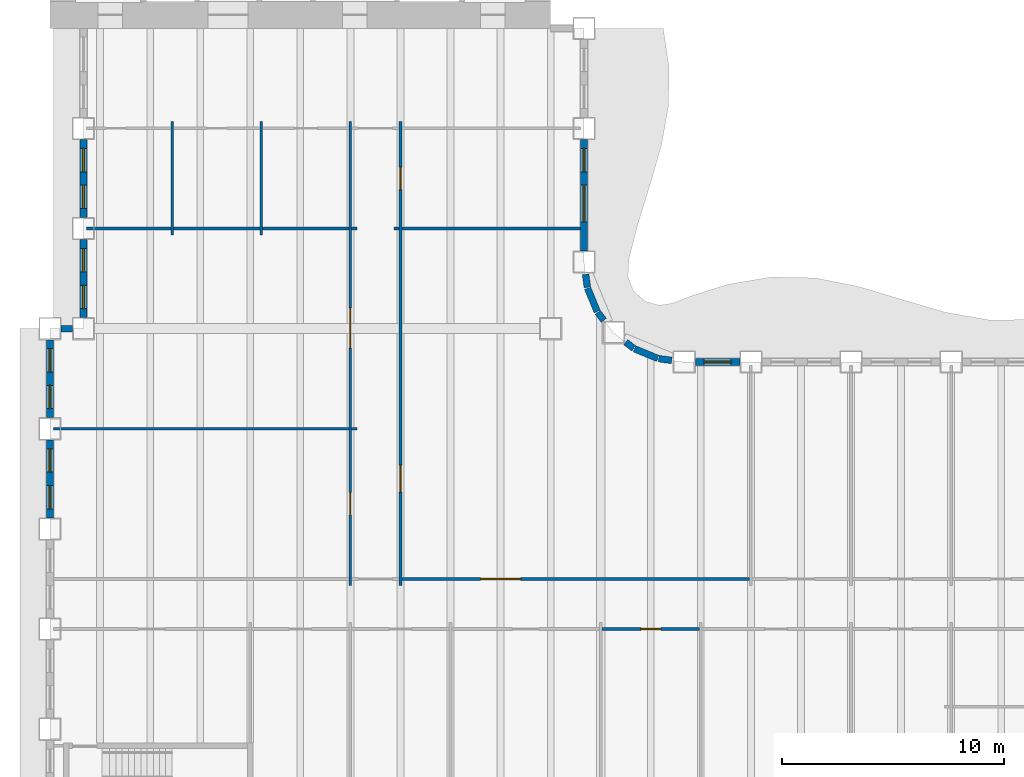
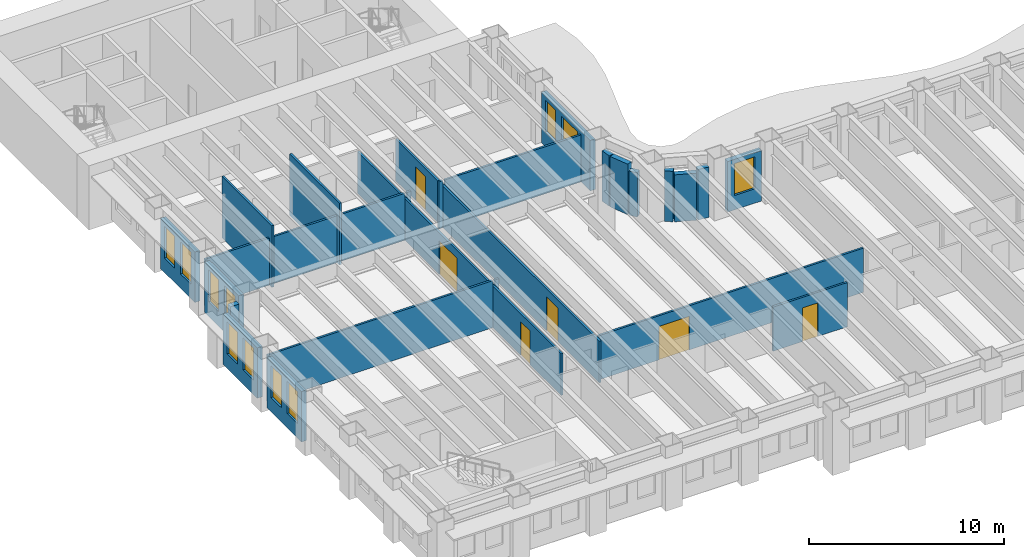
# One storey, part 4 of 16: 27 walls, 11 windows, 6 doors, 17 openings.
"""IFC4 building model written with IfcOpenShell, lengths in metres."""

from ifc_helpers import new_model, si_unit, direction, frame, frame_2d, origin, place, context, subcontext, project, spatial, rectangle, extrude, material, layer, layer_set, type_object, element, fill, save


model = new_model("IFC4")

# Units and contexts
model_context = context("Model", 3, precision=1e-05, world=origin(), true_north=direction((0.0, 1.0)))
body_context = subcontext(model_context, "Body", "Model", "MODEL_VIEW")
ifc_project = project(units=[si_unit("LENGTHUNIT", "METRE"), si_unit("AREAUNIT", "SQUARE_METRE"), si_unit("VOLUMEUNIT", "CUBIC_METRE"), si_unit("PLANEANGLEUNIT", "RADIAN"), si_unit("MASSUNIT", "GRAM", prefix="KILO")], contexts=[model_context])

# Site, building, storey
site_placement = place(None, origin())
site = spatial("IfcSite", under=ifc_project, at=site_placement, CompositionType="ELEMENT")
building_placement = place(site_placement, origin())
building = spatial("IfcBuilding", under=site, at=building_placement, Name="Sennacour Bend Tower", CompositionType="ELEMENT")
storey_placement = place(building_placement, frame((0.0, 0.0, 115.0)))
storey = spatial("IfcBuildingStorey", under=building, at=storey_placement, Name="L26", CompositionType="ELEMENT", Elevation=115.0)

# Walls
ifc_material_1 = material(Name="Plasterboard partition on steel studs", Category="steel")
ifc_layer_1 = layer(ifc_material_1, 0.1201171875, Name="Plasterboard partition on steel studs", Category="steel")
ifc_layer_set_1 = layer_set([ifc_layer_1], Name="Plasterboard partition on steel studs")
wall_type_1 = type_object("IfcWallType", Name="Partition 120", PredefinedType="PARTITIONING", material=ifc_layer_set_1)
for number, where, z_axis, x_axis, name in (
    (1, (5.5, 26.699951171875, 0.0), (0.0, 0.0, 1.0), (0.0, 1.0, 0.0), "P-L26-W006a"),
    (2, (9.5, 26.699951171875, 0.0), (0.0, 0.0, 1.0), (0.0, 1.0, 0.0), "P-L26-W012a"),
):
    element("IfcWall", number, at=place(storey_placement, frame(where, z_axis=z_axis, x_axis=x_axis)), inside=storey, type_object=wall_type_1, Name=name, PredefinedType="PARTITIONING", context=body_context, shape_type="SweptSolid", body=[
        extrude(rectangle(XDim=5.10009765625, YDim=0.1201171875, at=frame_2d((2.550048828125, 0.0))), origin(), (0.0, 0.0, 1.0), 3.85009765625),
    ])

# Wall, openings, doors
wall_1_placement = place(storey_placement, frame((13.5, 10.949951171875, 0.0), z_axis=(0.0, 0.0, 1.0), x_axis=(0.0, 1.0, 0.0)))
wall_1 = element("IfcWall", 3, at=wall_1_placement, inside=storey, type_object=wall_type_1, Name="P-L26-W015a", PredefinedType="PARTITIONING", context=body_context, shape_type="SweptSolid", body=[
    extrude(rectangle(XDim=20.85009765625, YDim=0.1201171875, at=frame_2d((10.425048828125, 0.0))), origin(), (0.0, 0.0, 1.0), 2.60009765625),
])
opening_1_placement = place(wall_1_placement, frame((3.175048828125, 0.0, 0.0)))
opening_1 = element("IfcOpeningElement", 4, at=opening_1_placement, cuts=wall_1, Name="Opening OD2", PredefinedType="OPENING", context=body_context, shape_type="SweptSolid", body=[
    extrude(rectangle(XDim=1.0, YDim=2.10009765625, at=frame_2d((0.5, 1.050048828125))), frame((0.0, 0.070068359375, 0.0), z_axis=(0.0, -1.0, 0.0), x_axis=(1.0, 0.0, 0.0)), (0.0, 0.0, 1.0), 0.14013671875),
])
opening_2_placement = place(wall_1_placement, frame((10.679931640625, 0.0, 0.0)))
opening_2 = element("IfcOpeningElement", 5, at=opening_2_placement, cuts=wall_1, Name="Opening OD3", PredefinedType="OPENING", context=body_context, shape_type="SweptSolid", body=[
    extrude(rectangle(XDim=1.800048828125, YDim=2.10009765625, at=frame_2d((0.89990234375, 1.050048828125))), frame((0.0, 0.070068359375, 0.0), z_axis=(0.0, -1.0, 0.0), x_axis=(1.0, 0.0, 0.0)), (0.0, 0.0, 1.0), 0.14013671875),
])
ifc_material_2 = material(Name="Timber", Category="wood")
door_type_1 = type_object("IfcDoorType", Name="DR-OFFICE-1000", OperationType="NOTDEFINED", PredefinedType="DOOR", material=ifc_material_2)
door_1_placement = place(opening_1_placement, origin())
door_1 = element("IfcDoor", 6, at=door_1_placement, inside=storey, type_object=door_type_1, Name="Door", OperationType="SINGLE_SWING_LEFT", OverallHeight=2.10009765625, OverallWidth=1.0, PredefinedType="DOOR", context=body_context, shape_type="SweptSolid", body=[
    extrude(rectangle(XDim=1.0, YDim=2.10009765625, at=frame_2d((0.5, 1.050048828125))), frame((0.0, 0.02490234375, 0.0), z_axis=(0.0, -1.0, 0.0), x_axis=(1.0, 0.0, 0.0)), (0.0, 0.0, 1.0), 0.050048828125),
])
fill(opening_1, door_1)
door_type_2 = type_object("IfcDoorType", Name="DR-OFFICE-1800", OperationType="NOTDEFINED", PredefinedType="DOOR", material=ifc_material_2)
door_2_placement = place(opening_2_placement, origin())
door_2 = element("IfcDoor", 7, at=door_2_placement, inside=storey, type_object=door_type_2, Name="Door", OperationType="DOUBLE_DOOR_SINGLE_SWING", OverallHeight=2.10009765625, OverallWidth=1.800048828125, PredefinedType="DOOR", context=body_context, shape_type="SweptSolid", body=[
    extrude(rectangle(XDim=1.800048828125, YDim=2.10009765625, at=frame_2d((0.89990234375, 1.050048828125))), frame((0.0, 0.02490234375, 0.0), z_axis=(0.0, -1.0, 0.0), x_axis=(1.0, 0.0, 0.0)), (0.0, 0.0, 1.0), 0.050048828125),
])
fill(opening_2, door_2)

wall_2_placement = place(storey_placement, frame((15.75, 10.949951171875, 0.0), z_axis=(0.0, 0.0, 1.0), x_axis=(0.0, 1.0, 0.0)))
wall_2 = element("IfcWall", 8, at=wall_2_placement, inside=storey, type_object=wall_type_1, Name="P-L26-W019a", PredefinedType="PARTITIONING", context=body_context, shape_type="SweptSolid", body=[
    extrude(rectangle(XDim=20.85009765625, YDim=0.1201171875, at=frame_2d((10.425048828125, 0.0))), origin(), (0.0, 0.0, 1.0), 2.60009765625),
])
opening_3_placement = place(wall_2_placement, frame((17.800048828125, 0.0, 0.0)))
opening_3 = element("IfcOpeningElement", 9, at=opening_3_placement, cuts=wall_2, Name="Opening MD2", PredefinedType="OPENING", context=body_context, shape_type="SweptSolid", body=[
    extrude(rectangle(XDim=1.0, YDim=2.10009765625, at=frame_2d((0.5, 1.050048828125))), frame((0.0, 0.070068359375, 0.0), z_axis=(0.0, -1.0, 0.0), x_axis=(1.0, 0.0, 0.0)), (0.0, 0.0, 1.0), 0.14013671875),
])
opening_4_placement = place(wall_2_placement, frame((4.199951171875, 0.0, 0.0)))
opening_4 = element("IfcOpeningElement", 10, at=opening_4_placement, cuts=wall_2, Name="Opening OD", PredefinedType="OPENING", context=body_context, shape_type="SweptSolid", body=[
    extrude(rectangle(XDim=1.199951171875, YDim=2.10009765625, at=frame_2d((0.60009765625, 1.050048828125))), frame((0.0, 0.070068359375, 0.0), z_axis=(0.0, -1.0, 0.0), x_axis=(1.0, 0.0, 0.0)), (0.0, 0.0, 1.0), 0.14013671875),
])
door_type_3 = type_object("IfcDoorType", Name="DR-MEETING-1000", OperationType="NOTDEFINED", PredefinedType="DOOR", material=ifc_material_2)
door_3_placement = place(opening_3_placement, origin())
door_3 = element("IfcDoor", 11, at=door_3_placement, inside=storey, type_object=door_type_3, Name="Door", OperationType="SINGLE_SWING_RIGHT", OverallHeight=2.10009765625, OverallWidth=1.0, PredefinedType="DOOR", context=body_context, shape_type="SweptSolid", body=[
    extrude(rectangle(XDim=1.0, YDim=2.10009765625, at=frame_2d((0.5, 1.050048828125))), frame((0.0, 0.02490234375, 0.0), z_axis=(0.0, -1.0, 0.0), x_axis=(1.0, 0.0, 0.0)), (0.0, 0.0, 1.0), 0.050048828125),
])
fill(opening_3, door_3)
door_type_4 = type_object("IfcDoorType", Name="DR-OFFICE-1200", OperationType="NOTDEFINED", PredefinedType="DOOR", material=ifc_material_2)
door_4_placement = place(opening_4_placement, origin())
door_4 = element("IfcDoor", 12, at=door_4_placement, inside=storey, type_object=door_type_4, Name="Door", OperationType="SINGLE_SWING_LEFT", OverallHeight=2.10009765625, OverallWidth=1.199951171875, PredefinedType="DOOR", context=body_context, shape_type="SweptSolid", body=[
    extrude(rectangle(XDim=1.199951171875, YDim=2.10009765625, at=frame_2d((0.60009765625, 1.050048828125))), frame((0.0, 0.02490234375, 0.0), z_axis=(0.0, -1.0, 0.0), x_axis=(1.0, 0.0, 0.0)), (0.0, 0.0, 1.0), 0.050048828125),
])
fill(opening_4, door_4)

# Wall, opening, door
wall_3_placement = place(storey_placement, frame((15.81005859375, 11.25, 0.0), z_axis=(0.0, 0.0, 1.0), x_axis=(1.0, 0.0, 0.0)))
wall_3 = element("IfcWall", 13, at=wall_3_placement, inside=storey, type_object=wall_type_1, Name="P-L26-W057ac", PredefinedType="PARTITIONING", context=body_context, shape_type="SweptSolid", body=[
    extrude(rectangle(XDim=15.6298828125, YDim=0.1201171875, at=frame_2d((7.81494140625, 0.0))), origin(), (0.0, 0.0, 1.0), 2.760009765625),
])
opening_5_placement = place(wall_3_placement, frame((3.539794921875, 0.0, 0.0)))
opening_5 = element("IfcOpeningElement", 14, at=opening_5_placement, cuts=wall_3, Name="Opening OD3", PredefinedType="OPENING", context=body_context, shape_type="SweptSolid", body=[
    extrude(rectangle(XDim=1.800048828125, YDim=2.10009765625, at=frame_2d((0.89990234375, 1.050048828125))), frame((0.0, 0.070068359375, 0.0), z_axis=(0.0, -1.0, 0.0), x_axis=(1.0, 0.0, 0.0)), (0.0, 0.0, 1.0), 0.14013671875),
])
door_5_placement = place(opening_5_placement, origin())
door_5 = element("IfcDoor", 15, at=door_5_placement, inside=storey, type_object=door_type_2, Name="Door", OperationType="DOUBLE_DOOR_SINGLE_SWING", OverallHeight=2.10009765625, OverallWidth=1.800048828125, PredefinedType="DOOR", context=body_context, shape_type="SweptSolid", body=[
    extrude(rectangle(XDim=1.800048828125, YDim=2.10009765625, at=frame_2d((0.89990234375, 1.050048828125))), frame((0.0, 0.02490234375, 0.0), z_axis=(0.0, -1.0, 0.0), x_axis=(1.0, 0.0, 0.0)), (0.0, 0.0, 1.0), 0.050048828125),
])
fill(opening_5, door_5)

# Walls
wall_4_placement = place(storey_placement, frame((0.14990234375, 18.0, 0.0), z_axis=(0.0, 0.0, 1.0), x_axis=(1.0, 0.0, 0.0)))
element("IfcWall", 16, at=wall_4_placement, inside=storey, type_object=wall_type_1, Name="P-L26-W062aa", PredefinedType="PARTITIONING", context=body_context, shape_type="SweptSolid", body=[
    extrude(rectangle(XDim=13.2900390625, YDim=0.1201171875, at=frame_2d((6.64501953125, 0.0))), origin(), (0.0, 0.0, 1.0), 2.93798828125),
])
wall_5_placement = place(storey_placement, frame((13.56005859375, 18.0, 0.0), z_axis=(0.0, 0.0, 1.0), x_axis=(1.0, 0.0, 0.0)))
element("IfcWall", 17, at=wall_5_placement, inside=storey, type_object=wall_type_1, Name="P-L26-W062ab", PredefinedType="PARTITIONING", context=body_context, shape_type="SweptSolid", body=[
    extrude(rectangle(XDim=0.239990234375, YDim=0.1201171875, at=frame_2d((0.1201171875, 0.0))), origin(), (0.0, 0.0, 1.0), 2.93798828125),
])
wall_6_placement = place(storey_placement, frame((1.64990234375, 27.0, 0.0), z_axis=(0.0, 0.0, 1.0), x_axis=(1.0, 0.0, 0.0)))
element("IfcWall", 18, at=wall_6_placement, inside=storey, type_object=wall_type_1, Name="P-L26-W069aa", PredefinedType="PARTITIONING", context=body_context, shape_type="SweptSolid", body=[
    extrude(rectangle(XDim=3.7900390625, YDim=0.1201171875, at=frame_2d((1.89501953125, 0.0))), origin(), (0.0, 0.0, 1.0), 2.93798828125),
])
for number, where, z_axis, x_axis, name in (
    (19, (5.56005859375, 27.0, 0.0), (0.0, 0.0, 1.0), (1.0, 0.0, 0.0), "P-L26-W069ab"),
    (20, (9.56005859375, 27.0, 0.0), (0.0, 0.0, 1.0), (1.0, 0.0, 0.0), "P-L26-W069ac"),
):
    element("IfcWall", number, at=place(storey_placement, frame(where, z_axis=z_axis, x_axis=x_axis)), inside=storey, type_object=wall_type_1, Name=name, PredefinedType="PARTITIONING", context=body_context, shape_type="SweptSolid", body=[
        extrude(rectangle(XDim=3.8798828125, YDim=0.1201171875, at=frame_2d((1.93994140625, 0.0))), origin(), (0.0, 0.0, 1.0), 2.93798828125),
    ])
for number, where, z_axis, x_axis, name in (
    (21, (13.56005859375, 27.0, 0.0), (0.0, 0.0, 1.0), (1.0, 0.0, 0.0), "P-L26-W069ad"),
    (22, (15.449951171875, 27.0, 0.0), (0.0, 0.0, 1.0), (1.0, 0.0, 0.0), "P-L26-W070aa"),
):
    element("IfcWall", number, at=place(storey_placement, frame(where, z_axis=z_axis, x_axis=x_axis)), inside=storey, type_object=wall_type_1, Name=name, PredefinedType="PARTITIONING", context=body_context, shape_type="SweptSolid", body=[
        extrude(rectangle(XDim=0.239990234375, YDim=0.1201171875, at=frame_2d((0.1201171875, 0.0))), origin(), (0.0, 0.0, 1.0), 2.93798828125),
    ])
wall_7_placement = place(storey_placement, frame((15.81005859375, 27.0, 0.0), z_axis=(0.0, 0.0, 1.0), x_axis=(1.0, 0.0, 0.0)))
element("IfcWall", 23, at=wall_7_placement, inside=storey, type_object=wall_type_1, Name="P-L26-W070ab", PredefinedType="PARTITIONING", context=body_context, shape_type="SweptSolid", body=[
    extrude(rectangle(XDim=8.0400390625, YDim=0.1201171875, at=frame_2d((4.02001953125, 0.0))), origin(), (0.0, 0.0, 1.0), 2.93798828125),
])

# Wall, opening, door
ifc_layer_2 = layer(ifc_material_1, 0.1201171875, Name="Plasterboard partition on steel studs", Category="steel")
ifc_layer_set_2 = layer_set([ifc_layer_2], Name="Plasterboard partition on steel studs")
wall_type_2 = type_object("IfcWallType", Name="Partition 120 EI 60", PredefinedType="PARTITIONING", material=ifc_layer_set_2)
wall_8_placement = place(storey_placement, frame((24.81005859375, 9.0, 0.0), z_axis=(0.0, 0.0, 1.0), x_axis=(1.0, 0.0, 0.0)))
wall_8 = element("IfcWall", 24, at=wall_8_placement, inside=storey, type_object=wall_type_2, Name="P-L26-W055ae", PredefinedType="PARTITIONING", context=body_context, shape_type="SweptSolid", body=[
    extrude(rectangle(XDim=4.3798828125, YDim=0.1201171875, at=frame_2d((2.18994140625, 0.0))), origin(), (0.0, 0.0, 1.0), 2.760009765625),
])
opening_6_placement = place(wall_8_placement, frame((1.739990234375, 0.0, 0.0)))
opening_6 = element("IfcOpeningElement", 25, at=opening_6_placement, cuts=wall_8, Name="Opening SV", PredefinedType="OPENING", context=body_context, shape_type="SweptSolid", body=[
    extrude(rectangle(XDim=0.89990234375, YDim=2.10009765625, at=frame_2d((0.449951171875, 1.050048828125))), frame((0.0, 0.070068359375, 0.0), z_axis=(0.0, -1.0, 0.0), x_axis=(1.0, 0.0, 0.0)), (0.0, 0.0, 1.0), 0.14013671875),
])
ifc_material_3 = material(Name="Painted steel", Category="steel")
door_type_5 = type_object("IfcDoorType", Name="DR-SERVICE-900", OperationType="NOTDEFINED", PredefinedType="DOOR", material=ifc_material_3)
door_6_placement = place(opening_6_placement, origin())
door_6 = element("IfcDoor", 26, at=door_6_placement, inside=storey, type_object=door_type_5, Name="Door", OperationType="SINGLE_SWING_LEFT", OverallHeight=2.10009765625, OverallWidth=0.89990234375, PredefinedType="DOOR", context=body_context, shape_type="SweptSolid", body=[
    extrude(rectangle(XDim=0.89990234375, YDim=2.10009765625, at=frame_2d((0.449951171875, 1.050048828125))), frame((0.0, 0.02490234375, 0.0), z_axis=(0.0, -1.0, 0.0), x_axis=(1.0, 0.0, 0.0)), (0.0, 0.0, 1.0), 0.050048828125),
])
fill(opening_6, door_6)

# Wall, opening, window
ifc_material_4 = material(Name="Warm limestone cladding", Category="masonry")
ifc_layer_3 = layer(ifc_material_4, 0.050048828125, Name="Warm limestone cladding", Category="masonry")
ifc_material_5 = material(Name="Precast concrete C40/50", Category="concrete")
ifc_layer_4 = layer(ifc_material_5, 0.25, Name="Precast concrete C40/50", Category="concrete")
ifc_layer_set_3 = layer_set([ifc_layer_3, ifc_layer_4], Name="Precast concrete C40/50 with limestone cladding")
wall_type_3 = type_object("IfcWallType", Name="STONE-CLAD PRECAST SPANDREL 300", PredefinedType="STANDARD", material=ifc_layer_set_3)
wall_9_placement = place(storey_placement, frame((31.0, 21.0, 0.0), z_axis=(0.0, 0.0, 1.0), x_axis=(-1.0, 0.0, 0.0)))
wall_9 = element("IfcWall", 27, at=wall_9_placement, inside=storey, type_object=wall_type_3, Name="Stone spandrel and pier wall L26 06.05", PredefinedType="STANDARD", context=body_context, shape_type="SweptSolid", body=[
    extrude(rectangle(XDim=2.0, YDim=0.300048828125, at=frame_2d((1.0, 0.0))), origin(), (0.0, 0.0, 1.0), 3.154052734375),
])
opening_7_placement = place(wall_9_placement, frame((0.39990234375, 0.0, 0.89990234375)))
opening_7 = element("IfcOpeningElement", 28, at=opening_7_placement, cuts=wall_9, Name="Opening W14", PredefinedType="OPENING", context=body_context, shape_type="SweptSolid", body=[
    extrude(rectangle(XDim=1.199951171875, YDim=2.0, at=frame_2d((0.60009765625, 1.0))), frame((0.0, 0.16015625, 0.0), z_axis=(0.0, -1.0, 0.0), x_axis=(1.0, 0.0, 0.0)), (0.0, 0.0, 1.0), 0.320068359375),
])
ifc_material_6 = material(Name="Clear low-emissivity glass", Category="glass")
window_type_1 = type_object("IfcWindowType", Name="WIN-RIBBON-1200x2000", PartitioningType="SINGLE_PANEL", PredefinedType="WINDOW", material=ifc_material_6)
window_1_placement = place(opening_7_placement, origin())
window_1 = element("IfcWindow", 29, at=window_1_placement, inside=storey, type_object=window_type_1, Name="Ribbon window L26 06.05", OverallHeight=2.0, OverallWidth=1.199951171875, PartitioningType="SINGLE_PANEL", PredefinedType="WINDOW", context=body_context, shape_type="SweptSolid", body=[
    extrude(rectangle(XDim=1.199951171875, YDim=2.0, at=frame_2d((0.60009765625, 1.0))), frame((0.0, 0.030029296875, 0.0), z_axis=(0.0, -1.0, 0.0), x_axis=(1.0, 0.0, 0.0)), (0.0, 0.0, 1.0), 0.06005859375),
])
fill(opening_7, window_1)

# Walls
wall_10_placement = place(storey_placement, frame((27.94384765625, 21.0732421875, 0.0), z_axis=(0.0, 0.0, 1.0), x_axis=(-0.991420685839, 0.130709692412, 0.0)))
element("IfcWall", 30, at=wall_10_placement, inside=storey, type_object=wall_type_3, Name="Stone spandrel and pier wall L26 07.00", PredefinedType="STANDARD", context=body_context, shape_type="SweptSolid", body=[
    extrude(rectangle(XDim=0.593994140625, YDim=0.300048828125, at=frame_2d((0.296875, 0.0))), origin(), (0.0, 0.0, 1.0), 3.154052734375),
])
wall_11_placement = place(storey_placement, frame((27.317138671875, 21.160888671875, 0.0), z_axis=(0.0, 0.0, 1.0), x_axis=(-0.923914616768, 0.382598720491, 0.0)))
element("IfcWall", 31, at=wall_11_placement, inside=storey, type_object=wall_type_3, Name="Stone spandrel and pier wall L26 08.00", PredefinedType="STANDARD", context=body_context, shape_type="SweptSolid", body=[
    extrude(rectangle(XDim=1.13525390625, YDim=0.300048828125, at=frame_2d((0.567626953125, 0.0))), origin(), (0.0, 0.0, 1.0), 2.93798828125),
])
wall_12_placement = place(storey_placement, frame((26.234375, 21.614990234375, 0.0), z_axis=(0.0, 0.0, 1.0), x_axis=(-0.793563062559, 0.608488016104, 0.0)))
element("IfcWall", 32, at=wall_12_placement, inside=storey, type_object=wall_type_3, Name="Stone spandrel and pier wall L26 09.00", PredefinedType="STANDARD", context=body_context, shape_type="SweptSolid", body=[
    extrude(rectangle(XDim=0.453857421875, YDim=0.300048828125, at=frame_2d((0.22705078125, 0.0))), origin(), (0.0, 0.0, 1.0), 3.154052734375),
])
wall_13_placement = place(storey_placement, frame((24.89111328125, 22.874267578125, 0.0), z_axis=(0.0, 0.0, 1.0), x_axis=(-0.608488016104, 0.793563062559, 0.0)))
element("IfcWall", 33, at=wall_13_placement, inside=storey, type_object=wall_type_3, Name="Stone spandrel and pier wall L26 10.00", PredefinedType="STANDARD", context=body_context, shape_type="SweptSolid", body=[
    extrude(rectangle(XDim=0.453857421875, YDim=0.300048828125, at=frame_2d((0.22705078125, 0.0))), origin(), (0.0, 0.0, 1.0), 2.760009765625),
])
wall_14_placement = place(storey_placement, frame((24.59521484375, 23.268310546875, 0.0), z_axis=(0.0, 0.0, 1.0), x_axis=(-0.382598720491, 0.923914616768, 0.0)))
element("IfcWall", 34, at=wall_14_placement, inside=storey, type_object=wall_type_3, Name="Stone spandrel and pier wall L26 11.00", PredefinedType="STANDARD", context=body_context, shape_type="SweptSolid", body=[
    extrude(rectangle(XDim=1.13525390625, YDim=0.300048828125, at=frame_2d((0.567626953125, 0.0))), origin(), (0.0, 0.0, 1.0), 3.154052734375),
])
wall_15_placement = place(storey_placement, frame((24.15087890625, 24.35498046875, 0.0), z_axis=(0.0, 0.0, 1.0), x_axis=(-0.130709692412, 0.991420685839, 0.0)))
element("IfcWall", 35, at=wall_15_placement, inside=storey, type_object=wall_type_3, Name="Stone spandrel and pier wall L26 12.00", PredefinedType="STANDARD", context=body_context, shape_type="SweptSolid", body=[
    extrude(rectangle(XDim=0.593994140625, YDim=0.300048828125, at=frame_2d((0.296875, 0.0))), origin(), (0.0, 0.0, 1.0), 3.154052734375),
])

# Wall, openings, windows
wall_16_placement = place(storey_placement, frame((24.0, 26.0, 0.0), z_axis=(0.0, 0.0, 1.0), x_axis=(0.0, 1.0, 0.0)))
wall_16 = element("IfcWall", 36, at=wall_16_placement, inside=storey, type_object=wall_type_3, Name="Stone spandrel and pier wall L26 13.00", PredefinedType="STANDARD", context=body_context, shape_type="SweptSolid", body=[
    extrude(rectangle(XDim=5.0, YDim=0.300048828125, at=frame_2d((2.5, 0.0))), origin(), (0.0, 0.0, 1.0), 3.154052734375),
])
opening_8_placement = place(wall_16_placement, frame((1.300048828125, 0.0, 0.89990234375)))
opening_8 = element("IfcOpeningElement", 37, at=opening_8_placement, cuts=wall_16, Name="Opening W10", PredefinedType="OPENING", context=body_context, shape_type="SweptSolid", body=[
    extrude(rectangle(XDim=1.64990234375, YDim=2.0, at=frame_2d((0.824951171875, 1.0))), frame((0.0, 0.16015625, 0.0), z_axis=(0.0, -1.0, 0.0), x_axis=(1.0, 0.0, 0.0)), (0.0, 0.0, 1.0), 0.320068359375),
])
opening_9_placement = place(wall_16_placement, frame((3.550048828125, 0.0, 0.89990234375)))
opening_9 = element("IfcOpeningElement", 38, at=opening_9_placement, cuts=wall_16, Name="Opening W13", PredefinedType="OPENING", context=body_context, shape_type="SweptSolid", body=[
    extrude(rectangle(XDim=1.050048828125, YDim=2.0, at=frame_2d((0.52490234375, 1.0))), frame((0.0, 0.16015625, 0.0), z_axis=(0.0, -1.0, 0.0), x_axis=(1.0, 0.0, 0.0)), (0.0, 0.0, 1.0), 0.320068359375),
])
window_type_2 = type_object("IfcWindowType", Name="WIN-RIBBON-1050x2000", PartitioningType="SINGLE_PANEL", PredefinedType="WINDOW", material=ifc_material_6)
window_2_placement = place(opening_9_placement, origin())
window_2 = element("IfcWindow", 39, at=window_2_placement, inside=storey, type_object=window_type_2, Name="Ribbon window L26 13.00.1", OverallHeight=2.0, OverallWidth=1.050048828125, PartitioningType="SINGLE_PANEL", PredefinedType="WINDOW", context=body_context, shape_type="SweptSolid", body=[
    extrude(rectangle(XDim=1.050048828125, YDim=2.0, at=frame_2d((0.52490234375, 1.0))), frame((0.0, 0.030029296875, 0.0), z_axis=(0.0, -1.0, 0.0), x_axis=(1.0, 0.0, 0.0)), (0.0, 0.0, 1.0), 0.06005859375),
])
fill(opening_9, window_2)
window_type_3 = type_object("IfcWindowType", Name="WIN-RIBBON-1650x2000", PartitioningType="SINGLE_PANEL", PredefinedType="WINDOW", material=ifc_material_6)
window_3_placement = place(opening_8_placement, origin())
window_3 = element("IfcWindow", 40, at=window_3_placement, inside=storey, type_object=window_type_3, Name="Ribbon window L26 13.00.0", OverallHeight=2.0, OverallWidth=1.64990234375, PartitioningType="SINGLE_PANEL", PredefinedType="WINDOW", context=body_context, shape_type="SweptSolid", body=[
    extrude(rectangle(XDim=1.64990234375, YDim=2.0, at=frame_2d((0.824951171875, 1.0))), frame((0.0, 0.030029296875, 0.0), z_axis=(0.0, -1.0, 0.0), x_axis=(1.0, 0.0, 0.0)), (0.0, 0.0, 1.0), 0.06005859375),
])
fill(opening_8, window_3)

wall_17_placement = place(storey_placement, frame((1.5, 31.0, 0.0), z_axis=(0.0, 0.0, 1.0), x_axis=(0.0, -1.0, 0.0)))
wall_17 = element("IfcWall", 41, at=wall_17_placement, inside=storey, type_object=wall_type_3, Name="Stone spandrel and pier wall L26 19.01", PredefinedType="STANDARD", context=body_context, shape_type="SweptSolid", body=[
    extrude(rectangle(XDim=3.5, YDim=0.300048828125, at=frame_2d((1.75, 0.0))), origin(), (0.0, 0.0, 1.0), 3.154052734375),
])
opening_10_placement = place(wall_17_placement, frame((0.39990234375, 0.0, 0.89990234375)))
opening_10 = element("IfcOpeningElement", 42, at=opening_10_placement, cuts=wall_17, Name="Opening W13", PredefinedType="OPENING", context=body_context, shape_type="SweptSolid", body=[
    extrude(rectangle(XDim=1.050048828125, YDim=2.0, at=frame_2d((0.52490234375, 1.0))), frame((0.0, 0.16015625, 0.0), z_axis=(0.0, -1.0, 0.0), x_axis=(1.0, 0.0, 0.0)), (0.0, 0.0, 1.0), 0.320068359375),
])
opening_11_placement = place(wall_17_placement, frame((2.050048828125, 0.0, 0.89990234375)))
opening_11 = element("IfcOpeningElement", 43, at=opening_11_placement, cuts=wall_17, Name="Opening W13", PredefinedType="OPENING", context=body_context, shape_type="SweptSolid", body=[
    extrude(rectangle(XDim=1.050048828125, YDim=2.0, at=frame_2d((0.52490234375, 1.0))), frame((0.0, 0.16015625, 0.0), z_axis=(0.0, -1.0, 0.0), x_axis=(1.0, 0.0, 0.0)), (0.0, 0.0, 1.0), 0.320068359375),
])
window_4_placement = place(opening_10_placement, origin())
window_4 = element("IfcWindow", 44, at=window_4_placement, inside=storey, type_object=window_type_2, Name="Ribbon window L26 19.01.0", OverallHeight=2.0, OverallWidth=1.050048828125, PartitioningType="SINGLE_PANEL", PredefinedType="WINDOW", context=body_context, shape_type="SweptSolid", body=[
    extrude(rectangle(XDim=1.050048828125, YDim=2.0, at=frame_2d((0.52490234375, 1.0))), frame((0.0, 0.030029296875, 0.0), z_axis=(0.0, -1.0, 0.0), x_axis=(1.0, 0.0, 0.0)), (0.0, 0.0, 1.0), 0.06005859375),
])
fill(opening_10, window_4)
window_5_placement = place(opening_11_placement, origin())
window_5 = element("IfcWindow", 45, at=window_5_placement, inside=storey, type_object=window_type_2, Name="Ribbon window L26 19.01.1", OverallHeight=2.0, OverallWidth=1.050048828125, PartitioningType="SINGLE_PANEL", PredefinedType="WINDOW", context=body_context, shape_type="SweptSolid", body=[
    extrude(rectangle(XDim=1.050048828125, YDim=2.0, at=frame_2d((0.52490234375, 1.0))), frame((0.0, 0.030029296875, 0.0), z_axis=(0.0, -1.0, 0.0), x_axis=(1.0, 0.0, 0.0)), (0.0, 0.0, 1.0), 0.06005859375),
])
fill(opening_11, window_5)

wall_18_placement = place(storey_placement, frame((1.5, 26.5, 0.0), z_axis=(0.0, 0.0, 1.0), x_axis=(0.0, -1.0, 0.0)))
wall_18 = element("IfcWall", 46, at=wall_18_placement, inside=storey, type_object=wall_type_3, Name="Stone spandrel and pier wall L26 19.02", PredefinedType="STANDARD", context=body_context, shape_type="SweptSolid", body=[
    extrude(rectangle(XDim=3.5, YDim=0.300048828125, at=frame_2d((1.75, 0.0))), origin(), (0.0, 0.0, 1.0), 3.154052734375),
])
opening_12_placement = place(wall_18_placement, frame((0.39990234375, 0.0, 0.89990234375)))
opening_12 = element("IfcOpeningElement", 47, at=opening_12_placement, cuts=wall_18, Name="Opening W13", PredefinedType="OPENING", context=body_context, shape_type="SweptSolid", body=[
    extrude(rectangle(XDim=1.050048828125, YDim=2.0, at=frame_2d((0.52490234375, 1.0))), frame((0.0, 0.16015625, 0.0), z_axis=(0.0, -1.0, 0.0), x_axis=(1.0, 0.0, 0.0)), (0.0, 0.0, 1.0), 0.320068359375),
])
opening_13_placement = place(wall_18_placement, frame((2.050048828125, 0.0, 0.89990234375)))
opening_13 = element("IfcOpeningElement", 48, at=opening_13_placement, cuts=wall_18, Name="Opening W13", PredefinedType="OPENING", context=body_context, shape_type="SweptSolid", body=[
    extrude(rectangle(XDim=1.050048828125, YDim=2.0, at=frame_2d((0.52490234375, 1.0))), frame((0.0, 0.16015625, 0.0), z_axis=(0.0, -1.0, 0.0), x_axis=(1.0, 0.0, 0.0)), (0.0, 0.0, 1.0), 0.320068359375),
])
window_6_placement = place(opening_12_placement, origin())
window_6 = element("IfcWindow", 49, at=window_6_placement, inside=storey, type_object=window_type_2, Name="Ribbon window L26 19.02.0", OverallHeight=2.0, OverallWidth=1.050048828125, PartitioningType="SINGLE_PANEL", PredefinedType="WINDOW", context=body_context, shape_type="SweptSolid", body=[
    extrude(rectangle(XDim=1.050048828125, YDim=2.0, at=frame_2d((0.52490234375, 1.0))), frame((0.0, 0.030029296875, 0.0), z_axis=(0.0, -1.0, 0.0), x_axis=(1.0, 0.0, 0.0)), (0.0, 0.0, 1.0), 0.06005859375),
])
fill(opening_12, window_6)
window_7_placement = place(opening_13_placement, origin())
window_7 = element("IfcWindow", 50, at=window_7_placement, inside=storey, type_object=window_type_2, Name="Ribbon window L26 19.02.1", OverallHeight=2.0, OverallWidth=1.050048828125, PartitioningType="SINGLE_PANEL", PredefinedType="WINDOW", context=body_context, shape_type="SweptSolid", body=[
    extrude(rectangle(XDim=1.050048828125, YDim=2.0, at=frame_2d((0.52490234375, 1.0))), frame((0.0, 0.030029296875, 0.0), z_axis=(0.0, -1.0, 0.0), x_axis=(1.0, 0.0, 0.0)), (0.0, 0.0, 1.0), 0.06005859375),
])
fill(opening_13, window_7)

# Wall
wall_19_placement = place(storey_placement, frame((1.0, 22.5, 0.0), z_axis=(0.0, 0.0, 1.0), x_axis=(-1.0, 0.0, 0.0)))
element("IfcWall", 51, at=wall_19_placement, inside=storey, type_object=wall_type_3, Name="Stone spandrel and pier wall L26 20.00", PredefinedType="STANDARD", context=body_context, shape_type="SweptSolid", body=[
    extrude(rectangle(XDim=0.5, YDim=0.300048828125, at=frame_2d((0.25, 0.0))), origin(), (0.0, 0.0, 1.0), 3.154052734375),
])

# Wall, openings, windows
wall_20_placement = place(storey_placement, frame((0.0, 22.0, 0.0), z_axis=(0.0, 0.0, 1.0), x_axis=(0.0, -1.0, 0.0)))
wall_20 = element("IfcWall", 52, at=wall_20_placement, inside=storey, type_object=wall_type_3, Name="Stone spandrel and pier wall L26 21.00", PredefinedType="STANDARD", context=body_context, shape_type="SweptSolid", body=[
    extrude(rectangle(XDim=3.5, YDim=0.300048828125, at=frame_2d((1.75, 0.0))), origin(), (0.0, 0.0, 1.0), 3.154052734375),
])
opening_14_placement = place(wall_20_placement, frame((0.39990234375, 0.0, 0.89990234375)))
opening_14 = element("IfcOpeningElement", 53, at=opening_14_placement, cuts=wall_20, Name="Opening W13", PredefinedType="OPENING", context=body_context, shape_type="SweptSolid", body=[
    extrude(rectangle(XDim=1.050048828125, YDim=2.0, at=frame_2d((0.52490234375, 1.0))), frame((0.0, 0.16015625, 0.0), z_axis=(0.0, -1.0, 0.0), x_axis=(1.0, 0.0, 0.0)), (0.0, 0.0, 1.0), 0.320068359375),
])
opening_15_placement = place(wall_20_placement, frame((2.050048828125, 0.0, 0.89990234375)))
opening_15 = element("IfcOpeningElement", 54, at=opening_15_placement, cuts=wall_20, Name="Opening W13", PredefinedType="OPENING", context=body_context, shape_type="SweptSolid", body=[
    extrude(rectangle(XDim=1.050048828125, YDim=2.0, at=frame_2d((0.52490234375, 1.0))), frame((0.0, 0.16015625, 0.0), z_axis=(0.0, -1.0, 0.0), x_axis=(1.0, 0.0, 0.0)), (0.0, 0.0, 1.0), 0.320068359375),
])
window_8_placement = place(opening_14_placement, origin())
window_8 = element("IfcWindow", 55, at=window_8_placement, inside=storey, type_object=window_type_2, Name="Ribbon window L26 21.00.0", OverallHeight=2.0, OverallWidth=1.050048828125, PartitioningType="SINGLE_PANEL", PredefinedType="WINDOW", context=body_context, shape_type="SweptSolid", body=[
    extrude(rectangle(XDim=1.050048828125, YDim=2.0, at=frame_2d((0.52490234375, 1.0))), frame((0.0, 0.030029296875, 0.0), z_axis=(0.0, -1.0, 0.0), x_axis=(1.0, 0.0, 0.0)), (0.0, 0.0, 1.0), 0.06005859375),
])
fill(opening_14, window_8)
window_9_placement = place(opening_15_placement, origin())
window_9 = element("IfcWindow", 56, at=window_9_placement, inside=storey, type_object=window_type_2, Name="Ribbon window L26 21.00.1", OverallHeight=2.0, OverallWidth=1.050048828125, PartitioningType="SINGLE_PANEL", PredefinedType="WINDOW", context=body_context, shape_type="SweptSolid", body=[
    extrude(rectangle(XDim=1.050048828125, YDim=2.0, at=frame_2d((0.52490234375, 1.0))), frame((0.0, 0.030029296875, 0.0), z_axis=(0.0, -1.0, 0.0), x_axis=(1.0, 0.0, 0.0)), (0.0, 0.0, 1.0), 0.06005859375),
])
fill(opening_15, window_9)

wall_21_placement = place(storey_placement, frame((0.0, 17.5, 0.0), z_axis=(0.0, 0.0, 1.0), x_axis=(0.0, -1.0, 0.0)))
wall_21 = element("IfcWall", 57, at=wall_21_placement, inside=storey, type_object=wall_type_3, Name="Stone spandrel and pier wall L26 21.01", PredefinedType="STANDARD", context=body_context, shape_type="SweptSolid", body=[
    extrude(rectangle(XDim=3.5, YDim=0.300048828125, at=frame_2d((1.75, 0.0))), origin(), (0.0, 0.0, 1.0), 3.154052734375),
])
opening_16_placement = place(wall_21_placement, frame((0.39990234375, 0.0, 0.89990234375)))
opening_16 = element("IfcOpeningElement", 58, at=opening_16_placement, cuts=wall_21, Name="Opening W13", PredefinedType="OPENING", context=body_context, shape_type="SweptSolid", body=[
    extrude(rectangle(XDim=1.050048828125, YDim=2.0, at=frame_2d((0.52490234375, 1.0))), frame((0.0, 0.16015625, 0.0), z_axis=(0.0, -1.0, 0.0), x_axis=(1.0, 0.0, 0.0)), (0.0, 0.0, 1.0), 0.320068359375),
])
opening_17_placement = place(wall_21_placement, frame((2.050048828125, 0.0, 0.89990234375)))
opening_17 = element("IfcOpeningElement", 59, at=opening_17_placement, cuts=wall_21, Name="Opening W13", PredefinedType="OPENING", context=body_context, shape_type="SweptSolid", body=[
    extrude(rectangle(XDim=1.050048828125, YDim=2.0, at=frame_2d((0.52490234375, 1.0))), frame((0.0, 0.16015625, 0.0), z_axis=(0.0, -1.0, 0.0), x_axis=(1.0, 0.0, 0.0)), (0.0, 0.0, 1.0), 0.320068359375),
])
window_10_placement = place(opening_16_placement, origin())
window_10 = element("IfcWindow", 60, at=window_10_placement, inside=storey, type_object=window_type_2, Name="Ribbon window L26 21.01.0", OverallHeight=2.0, OverallWidth=1.050048828125, PartitioningType="SINGLE_PANEL", PredefinedType="WINDOW", context=body_context, shape_type="SweptSolid", body=[
    extrude(rectangle(XDim=1.050048828125, YDim=2.0, at=frame_2d((0.52490234375, 1.0))), frame((0.0, 0.030029296875, 0.0), z_axis=(0.0, -1.0, 0.0), x_axis=(1.0, 0.0, 0.0)), (0.0, 0.0, 1.0), 0.06005859375),
])
fill(opening_16, window_10)
window_11_placement = place(opening_17_placement, origin())
window_11 = element("IfcWindow", 61, at=window_11_placement, inside=storey, type_object=window_type_2, Name="Ribbon window L26 21.01.1", OverallHeight=2.0, OverallWidth=1.050048828125, PartitioningType="SINGLE_PANEL", PredefinedType="WINDOW", context=body_context, shape_type="SweptSolid", body=[
    extrude(rectangle(XDim=1.050048828125, YDim=2.0, at=frame_2d((0.52490234375, 1.0))), frame((0.0, 0.030029296875, 0.0), z_axis=(0.0, -1.0, 0.0), x_axis=(1.0, 0.0, 0.0)), (0.0, 0.0, 1.0), 0.06005859375),
])
fill(opening_17, window_11)

save(model, "model.ifc")
